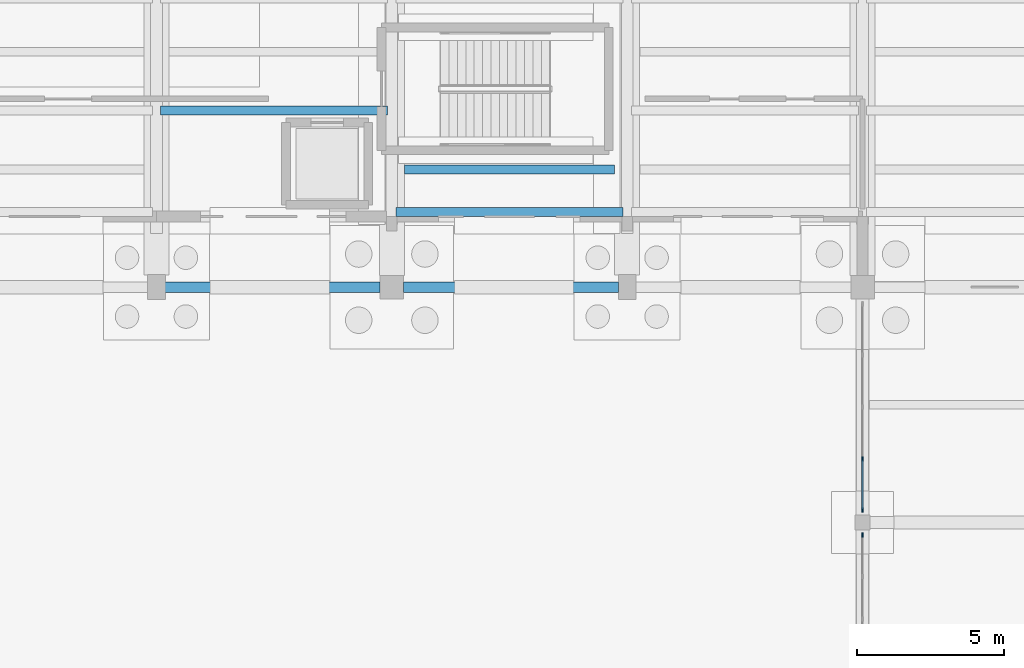
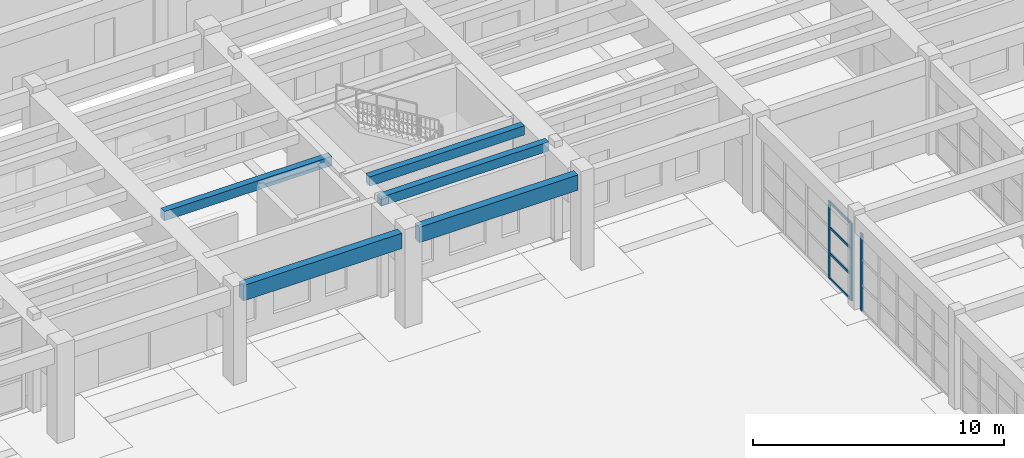
# One storey, part 25 of 68: 7 members, 5 beams, 2 elements without a shape of their own.
"""IFC4 building model written with IfcOpenShell, lengths in metres."""

from ifc_helpers import new_model, si_unit, direction, frame, origin, origin_2d, place, context, subcontext, project, spatial, rectangle, extrude, material, material_profile, profile_set, type_object, element, aggregate, save


model = new_model("IFC4")

# Units and contexts
model_context = context("Model", 3, precision=1e-05, world=origin(), true_north=direction((0.0, 1.0)))
body_context = subcontext(model_context, "Body", "Model", "MODEL_VIEW")
ifc_project = project(units=[si_unit("LENGTHUNIT", "METRE"), si_unit("AREAUNIT", "SQUARE_METRE"), si_unit("VOLUMEUNIT", "CUBIC_METRE"), si_unit("PLANEANGLEUNIT", "RADIAN"), si_unit("MASSUNIT", "GRAM", prefix="KILO")], contexts=[model_context])

# Site, building, storey
site_placement = place(None, origin())
site = spatial("IfcSite", under=ifc_project, at=site_placement, CompositionType="ELEMENT")
building_placement = place(site_placement, origin())
building = spatial("IfcBuilding", under=site, at=building_placement, Name="Serraluz Foothill Cableway Terminal", CompositionType="ELEMENT")
storey_placement = place(building_placement, origin())
storey = spatial("IfcBuildingStorey", under=building, at=storey_placement, Name="L00", CompositionType="ELEMENT", Elevation=0.0)

# Curtain wall, member
ifc_material_1 = material(Name="Architectural bronze alloy C28000", Category="aluminium")
curtain_wall_type = type_object("IfcCurtainWallType", Name="TYP-CW-710X420", PredefinedType="NOTDEFINED", material=ifc_material_1)
curtain_wall_1_placement = place(storey_placement, origin())
curtain_wall_1 = element("IfcCurtainWall", 1, at=curtain_wall_1_placement, inside=storey, type_object=curtain_wall_type, Name="Ribbed Glazed Curtain Wall CW-CLW-L00-40", PredefinedType="NOTDEFINED")
ifc_material_profile_1 = material_profile(ifc_material_1, rectangle(XDim=0.06005859375, YDim=0.159912109375, at=origin_2d()), Name="ALU MULLION 60x160")
ifc_profile_set_1 = profile_set([ifc_material_profile_1], Name="Architectural bronze alloy C28000")
member_type_1 = type_object("IfcMemberType", Name="TYP-CW-MUL-60X160", PredefinedType="MULLION", material=ifc_profile_set_1)
member_1_placement = place(storey_placement, frame((120.0, 47.580078125, 0.0), z_axis=(0.0, 0.0, 1.0), x_axis=(-1.0, 0.0, 0.0)))
member_1 = element("IfcMember", 2, at=member_1_placement, type_object=member_type_1, Name="CW-01 mullion 6", PredefinedType="MULLION", context=body_context, shape_type="SweptSolid", body=[
    extrude(rectangle(XDim=0.06005859375, YDim=0.159912109375, at=origin_2d()), origin(), (0.0, 0.0, 1.0), 3.760009765625),
])
aggregate(curtain_wall_1, [member_1])

# Curtain wall, members
curtain_wall_2_placement = place(storey_placement, origin())
curtain_wall_2 = element("IfcCurtainWall", 3, at=curtain_wall_2_placement, inside=storey, type_object=curtain_wall_type, Name="Ribbed Glazed Curtain Wall CW-CLW-L00-48", PredefinedType="NOTDEFINED")
member_2_placement = place(storey_placement, frame((120.0, 48.419921875, 0.0), z_axis=(0.0, 0.0, 1.0), x_axis=(-1.0, 0.0, 0.0)))
member_2 = element("IfcMember", 4, at=member_2_placement, type_object=member_type_1, Name="CW-01 mullion 1", PredefinedType="MULLION", context=body_context, shape_type="SweptSolid", body=[
    extrude(rectangle(XDim=0.06005859375, YDim=0.159912109375, at=origin_2d()), origin(), (0.0, 0.0, 1.0), 3.760009765625),
])
member_3_placement = place(storey_placement, frame((120.0, 50.157470703125, 0.0), z_axis=(0.0, 0.0, 1.0), x_axis=(-1.0, 0.0, 0.0)))
member_3 = element("IfcMember", 5, at=member_3_placement, type_object=member_type_1, Name="CW-01 mullion 2", PredefinedType="MULLION", context=body_context, shape_type="SweptSolid", body=[
    extrude(rectangle(XDim=0.06005859375, YDim=0.159912109375, at=origin_2d()), origin(), (0.0, 0.0, 1.0), 3.760009765625),
])
ifc_material_profile_2 = material_profile(ifc_material_1, rectangle(XDim=0.06005859375, YDim=0.1201171875, at=origin_2d()), Name="ALU TRANSOM 60x120")
ifc_profile_set_2 = profile_set([ifc_material_profile_2], Name="Architectural bronze alloy C28000")
member_type_2 = type_object("IfcMemberType", Name="TYP-CW-TRN-60X120", PredefinedType="USERDEFINED", material=ifc_profile_set_2)
member_4_placement = place(storey_placement, frame((120.0, 48.449951171875, 0.030029296875), z_axis=(0.0, 1.0, 0.0), x_axis=(-1.0, 0.0, 0.0)))
member_4 = element("IfcMember", 6, at=member_4_placement, type_object=member_type_2, Name="CW-01 transom 1.1", ObjectType="TRANSOM", PredefinedType="USERDEFINED", context=body_context, shape_type="SweptSolid", body=[
    extrude(rectangle(XDim=0.06005859375, YDim=0.1201171875, at=origin_2d()), origin(), (0.0, 0.0, 1.0), 1.677490234375),
])
member_5_placement = place(storey_placement, frame((120.0, 48.449951171875, 1.25341796875), z_axis=(0.0, 1.0, 0.0), x_axis=(-1.0, 0.0, 0.0)))
member_5 = element("IfcMember", 7, at=member_5_placement, type_object=member_type_2, Name="CW-01 transom 1.2", ObjectType="TRANSOM", PredefinedType="USERDEFINED", context=body_context, shape_type="SweptSolid", body=[
    extrude(rectangle(XDim=0.06005859375, YDim=0.1201171875, at=origin_2d()), origin(), (0.0, 0.0, 1.0), 1.677490234375),
])
member_6_placement = place(storey_placement, frame((120.0, 48.449951171875, 2.506591796875), z_axis=(0.0, 1.0, 0.0), x_axis=(-1.0, 0.0, 0.0)))
member_6 = element("IfcMember", 8, at=member_6_placement, type_object=member_type_2, Name="CW-01 transom 1.3", ObjectType="TRANSOM", PredefinedType="USERDEFINED", context=body_context, shape_type="SweptSolid", body=[
    extrude(rectangle(XDim=0.06005859375, YDim=0.1201171875, at=origin_2d()), origin(), (0.0, 0.0, 1.0), 1.677490234375),
])
member_7_placement = place(storey_placement, frame((120.0, 48.449951171875, 3.72998046875), z_axis=(0.0, 1.0, 0.0), x_axis=(-1.0, 0.0, 0.0)))
member_7 = element("IfcMember", 9, at=member_7_placement, type_object=member_type_2, Name="CW-01 transom 1.4", ObjectType="TRANSOM", PredefinedType="USERDEFINED", context=body_context, shape_type="SweptSolid", body=[
    extrude(rectangle(XDim=0.06005859375, YDim=0.1201171875, at=origin_2d()), origin(), (0.0, 0.0, 1.0), 1.677490234375),
])
aggregate(curtain_wall_2, [member_2, member_3, member_4, member_5, member_6, member_7])

# Beams
ifc_material_2 = material(Name="Concrete C28/35 (f'c 28 MPa)", Category="concrete")
ifc_material_profile_3 = material_profile(ifc_material_2, rectangle(XDim=0.300048828125, YDim=0.449951171875, at=origin_2d()), Name="RC 300x450")
ifc_profile_set_3 = profile_set([ifc_material_profile_3], Name="Concrete C28/35 (f'c 28 MPa)")
beam_type_1 = type_object("IfcBeamType", Name="TYP-JS-RC300X450", PredefinedType="JOIST", material=ifc_profile_set_3)
beam_placement = place(storey_placement, frame((104.429931640625, 60.0, 4.27490234375), z_axis=(1.0, 0.0, 0.0), x_axis=(0.0, 1.0, 0.0)))
element("IfcBeam", 10, at=beam_placement, inside=storey, type_object=beam_type_1, Name="Secondary Floor Joist JS-L00-0039", PredefinedType="JOIST", context=body_context, shape_type="SweptSolid", body=[
    extrude(rectangle(XDim=0.300048828125, YDim=0.449951171875, at=origin_2d()), origin(), (0.0, 0.0, 1.0), 7.14013671875),
])
for number, where, z_axis, x_axis, name in (
    (11, (96.139892578125, 62.0, 4.27490234375), (1.0, 0.0, 0.0), (0.0, 1.0, 0.0), "Composite Deck Joist L00-009"),
    (12, (104.139892578125, 58.550048828125, 4.27490234375), (1.0, 0.0, 0.0), (0.0, 1.0, 0.0), "Composite Deck Joist L00-012"),
):
    element("IfcBeam", number, at=place(storey_placement, frame(where, z_axis=z_axis, x_axis=x_axis)), inside=storey, type_object=beam_type_1, Name=name, PredefinedType="JOIST", context=body_context, shape_type="SweptSolid", body=[
        extrude(rectangle(XDim=0.300048828125, YDim=0.449951171875, at=origin_2d()), origin(), (0.0, 0.0, 1.0), 7.72021484375),
    ])
ifc_material_3 = material(Name="Precast concrete C40/50", Category="concrete")
ifc_material_profile_4 = material_profile(ifc_material_3, rectangle(XDim=0.35009765625, YDim=0.75, at=origin_2d()), Name="RC SP 350x750")
ifc_profile_set_4 = profile_set([ifc_material_profile_4], Name="Precast concrete C40/50")
beam_type_2 = type_object("IfcBeamType", Name="TYP-SP-RC350X750", PredefinedType="SPANDREL", material=ifc_profile_set_4)
for number, where, z_axis, x_axis, name in (
    (13, (96.2958984375, 56.0, 4.125), (1.0, 0.0, 0.0), (0.0, 1.0, 0.0), "Primary Girder BM-X-L00-0068"),
    (14, (104.39599609375, 56.0, 4.125), (1.0, 0.0, 0.0), (0.0, 1.0, 0.0), "Primary Girder BM-X-L00-0069"),
):
    element("IfcBeam", number, at=place(storey_placement, frame(where, z_axis=z_axis, x_axis=x_axis)), inside=storey, type_object=beam_type_2, Name=name, PredefinedType="SPANDREL", context=body_context, shape_type="SweptSolid", body=[
        extrude(rectangle(XDim=0.35009765625, YDim=0.75, at=origin_2d()), origin(), (0.0, 0.0, 1.0), 7.30810546875),
    ])

save(model, "model.ifc")
